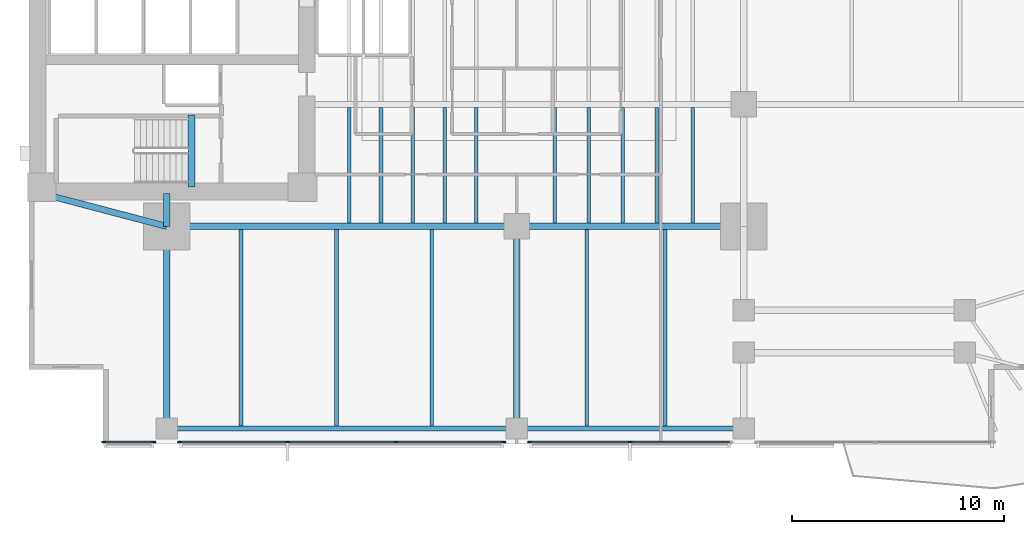
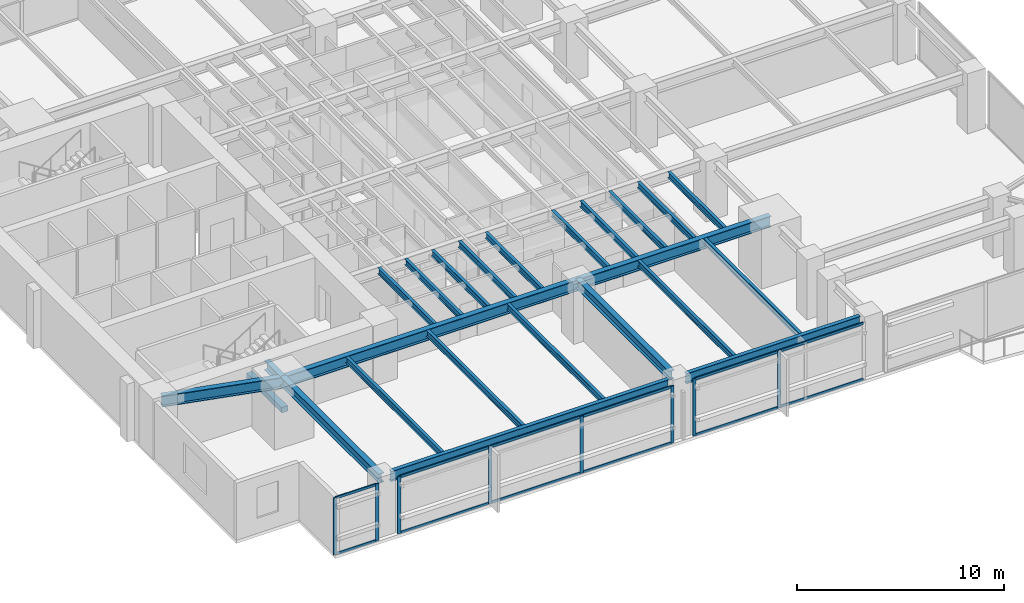
# One storey, part 2 of 15: 24 beams, 20 members, 3 elements without a shape of their own.
"""IFC4 building model written with IfcOpenShell, lengths in metres."""

from ifc_helpers import new_model, si_unit, direction, frame, origin, origin_2d, place, context, subcontext, project, spatial, rectangle, i_section, extrude, material, layer, layer_set, material_profile, profile_set, type_object, element, aggregate, save


model = new_model("IFC4")

# Units and contexts
model_context = context("Model", 3, precision=1e-05, world=origin(), true_north=direction((0.0, 1.0)))
body_context = subcontext(model_context, "Body", "Model", "MODEL_VIEW")
ifc_project = project(units=[si_unit("LENGTHUNIT", "METRE"), si_unit("AREAUNIT", "SQUARE_METRE"), si_unit("VOLUMEUNIT", "CUBIC_METRE"), si_unit("PLANEANGLEUNIT", "RADIAN"), si_unit("MASSUNIT", "GRAM", prefix="KILO")], contexts=[model_context])

# Site, building, storey
site_placement = place(None, origin())
site = spatial("IfcSite", under=ifc_project, at=site_placement, CompositionType="ELEMENT")
building_placement = place(site_placement, origin())
building = spatial("IfcBuilding", under=site, at=building_placement, Name="Kinhvarn Gate Tower", CompositionType="ELEMENT")
storey_placement = place(building_placement, frame((0.0, 0.0, 39.800048828125)))
storey = spatial("IfcBuildingStorey", under=building, at=storey_placement, Name="L09", CompositionType="ELEMENT", Elevation=39.800048828125)

# Beam
ifc_material_1 = material(Name="Concrete C50/60", Category="concrete")
ifc_material_profile_1 = material_profile(ifc_material_1, rectangle(XDim=0.340087890625, YDim=0.320068359375, at=origin_2d()), Name="RC 340x320")
ifc_profile_set_1 = profile_set([ifc_material_profile_1], Name="Concrete C50/60")
beam_type_1 = type_object("IfcBeamType", Name="BM-LND-500", PredefinedType="BEAM", material=ifc_profile_set_1)
beam_1_placement = place(storey_placement, frame((12.1650390625, 14.60009765625, -0.16015625), z_axis=(0.0, 1.0, 0.0), x_axis=(-1.0, 0.0, 0.0)))
element("IfcBeam", 1, at=beam_1_placement, inside=storey, type_object=beam_type_1, Name="Stair ST1 Landing Nosing Beam (L09)", PredefinedType="BEAM", context=body_context, shape_type="SweptSolid", body=[
    extrude(rectangle(XDim=0.340087890625, YDim=0.320068359375, at=origin_2d()), origin(), (0.0, 0.0, 1.0), 3.39990234375),
])

# Curtain wall, members
ifc_material_2 = material(Name="Anodised aluminium AW-6063", Category="aluminium")
ifc_layer = layer(ifc_material_2, 0.179931640625)
ifc_layer_set = layer_set([ifc_layer], Name="Anodised aluminium AW-6063")
curtain_wall_type = type_object("IfcCurtainWallType", Name="CW-SYS-2", PredefinedType="NOTDEFINED", material=ifc_layer_set)
curtain_wall_1_placement = place(storey_placement, origin())
curtain_wall_1 = element("IfcCurtainWall", 2, at=curtain_wall_1_placement, inside=storey, type_object=curtain_wall_type, Name="Curtain Wall CW2 (L09)", PredefinedType="NOTDEFINED")
ifc_material_profile_2 = material_profile(ifc_material_2, rectangle(XDim=0.070068359375, YDim=0.179931640625, at=origin_2d()), Name="ALU 70x180")
ifc_profile_set_2 = profile_set([ifc_material_profile_2], Name="Anodised aluminium AW-6063")
member_type_1 = type_object("IfcMemberType", Name="CW-MUL-180", PredefinedType="MULLION", material=ifc_profile_set_2)
member_1_placement = place(storey_placement, frame((8.034912109375, 2.590087890625, 0.0), z_axis=(0.0, 0.0, 1.0), x_axis=(0.0, 1.0, 0.0)))
member_1 = element("IfcMember", 3, at=member_1_placement, type_object=member_type_1, Name="CW2 mullion 1", PredefinedType="MULLION", context=body_context, shape_type="SweptSolid", body=[
    extrude(rectangle(XDim=0.070068359375, YDim=0.179931640625, at=origin_2d()), origin(), (0.0, 0.0, 1.0), 3.369873046875),
])
member_2_placement = place(storey_placement, frame((10.385009765625, 2.590087890625, 0.0), z_axis=(0.0, 0.0, 1.0), x_axis=(0.0, 1.0, 0.0)))
member_2 = element("IfcMember", 4, at=member_2_placement, type_object=member_type_1, Name="CW2 mullion 2", PredefinedType="MULLION", context=body_context, shape_type="SweptSolid", body=[
    extrude(rectangle(XDim=0.070068359375, YDim=0.179931640625, at=origin_2d()), origin(), (0.0, 0.0, 1.0), 3.369873046875),
])

curtain_wall_2_placement = place(storey_placement, origin())
curtain_wall_2 = element("IfcCurtainWall", 5, at=curtain_wall_2_placement, inside=storey, type_object=curtain_wall_type, Name="Curtain Wall CW2 (L09)", PredefinedType="NOTDEFINED")
member_3_placement = place(storey_placement, frame((11.614990234375, 2.590087890625, 0.0), z_axis=(0.0, 0.0, 1.0), x_axis=(0.0, 1.0, 0.0)))
member_3 = element("IfcMember", 6, at=member_3_placement, type_object=member_type_1, Name="CW2 mullion 1", PredefinedType="MULLION", context=body_context, shape_type="SweptSolid", body=[
    extrude(rectangle(XDim=0.070068359375, YDim=0.179931640625, at=origin_2d()), origin(), (0.0, 0.0, 1.0), 3.369873046875),
])
member_4_placement = place(storey_placement, frame((16.693359375, 2.590087890625, 0.0), z_axis=(0.0, 0.0, 1.0), x_axis=(0.0, 1.0, 0.0)))
member_4 = element("IfcMember", 7, at=member_4_placement, type_object=member_type_1, Name="CW2 mullion 2", PredefinedType="MULLION", context=body_context, shape_type="SweptSolid", body=[
    extrude(rectangle(XDim=0.070068359375, YDim=0.179931640625, at=origin_2d()), origin(), (0.0, 0.0, 1.0), 3.369873046875),
])
member_5_placement = place(storey_placement, frame((21.806640625, 2.590087890625, 0.0), z_axis=(0.0, 0.0, 1.0), x_axis=(0.0, 1.0, 0.0)))
member_5 = element("IfcMember", 8, at=member_5_placement, type_object=member_type_1, Name="CW2 mullion 3", PredefinedType="MULLION", context=body_context, shape_type="SweptSolid", body=[
    extrude(rectangle(XDim=0.070068359375, YDim=0.179931640625, at=origin_2d()), origin(), (0.0, 0.0, 1.0), 3.369873046875),
])
member_6_placement = place(storey_placement, frame((26.885009765625, 2.590087890625, 0.0), z_axis=(0.0, 0.0, 1.0), x_axis=(0.0, 1.0, 0.0)))
member_6 = element("IfcMember", 9, at=member_6_placement, type_object=member_type_1, Name="CW2 mullion 4", PredefinedType="MULLION", context=body_context, shape_type="SweptSolid", body=[
    extrude(rectangle(XDim=0.070068359375, YDim=0.179931640625, at=origin_2d()), origin(), (0.0, 0.0, 1.0), 3.369873046875),
])

curtain_wall_3_placement = place(storey_placement, origin())
curtain_wall_3 = element("IfcCurtainWall", 10, at=curtain_wall_3_placement, inside=storey, type_object=curtain_wall_type, Name="Curtain Wall CW2 (L09)", PredefinedType="NOTDEFINED")
member_7_placement = place(storey_placement, frame((28.114990234375, 2.590087890625, 0.0), z_axis=(0.0, 0.0, 1.0), x_axis=(0.0, 1.0, 0.0)))
member_7 = element("IfcMember", 11, at=member_7_placement, type_object=member_type_1, Name="CW2 mullion 1", PredefinedType="MULLION", context=body_context, shape_type="SweptSolid", body=[
    extrude(rectangle(XDim=0.070068359375, YDim=0.179931640625, at=origin_2d()), origin(), (0.0, 0.0, 1.0), 3.369873046875),
])
member_8_placement = place(storey_placement, frame((32.85009765625, 2.590087890625, 0.0), z_axis=(0.0, 0.0, 1.0), x_axis=(0.0, 1.0, 0.0)))
member_8 = element("IfcMember", 12, at=member_8_placement, type_object=member_type_1, Name="CW2 mullion 2", PredefinedType="MULLION", context=body_context, shape_type="SweptSolid", body=[
    extrude(rectangle(XDim=0.070068359375, YDim=0.179931640625, at=origin_2d()), origin(), (0.0, 0.0, 1.0), 3.369873046875),
])

# Member
ifc_material_profile_3 = material_profile(ifc_material_2, rectangle(XDim=0.070068359375, YDim=0.139892578125, at=origin_2d()), Name="ALU 70x140")
ifc_profile_set_3 = profile_set([ifc_material_profile_3], Name="Anodised aluminium AW-6063")
member_type_2 = type_object("IfcMemberType", Name="CW-TRN-140", PredefinedType="USERDEFINED", material=ifc_profile_set_3)
member_9_placement = place(storey_placement, frame((8.070068359375, 2.590087890625, 0.034912109375), z_axis=(1.0, 0.0, 0.0), x_axis=(0.0, 1.0, 0.0)))
member_9 = element("IfcMember", 13, at=member_9_placement, type_object=member_type_2, Name="CW2 transom 1.1", ObjectType="TRANSOM", PredefinedType="USERDEFINED", context=body_context, shape_type="SweptSolid", body=[
    extrude(rectangle(XDim=0.070068359375, YDim=0.139892578125, at=origin_2d()), origin(), (0.0, 0.0, 1.0), 2.280029296875),
])

member_10_placement = place(storey_placement, frame((8.070068359375, 2.590087890625, 3.3349609375), z_axis=(1.0, 0.0, 0.0), x_axis=(0.0, 1.0, 0.0)))
member_10 = element("IfcMember", 14, at=member_10_placement, type_object=member_type_2, Name="CW2 transom 1.2", ObjectType="TRANSOM", PredefinedType="USERDEFINED", context=body_context, shape_type="SweptSolid", body=[
    extrude(rectangle(XDim=0.070068359375, YDim=0.139892578125, at=origin_2d()), origin(), (0.0, 0.0, 1.0), 2.280029296875),
])

aggregate(curtain_wall_1, [member_1, member_2, member_9, member_10])

member_11_placement = place(storey_placement, frame((11.64990234375, 2.590087890625, 0.034912109375), z_axis=(1.0, 0.0, 0.0), x_axis=(0.0, 1.0, 0.0)))
member_11 = element("IfcMember", 15, at=member_11_placement, type_object=member_type_2, Name="CW2 transom 1.1", ObjectType="TRANSOM", PredefinedType="USERDEFINED", context=body_context, shape_type="SweptSolid", body=[
    extrude(rectangle(XDim=0.070068359375, YDim=0.139892578125, at=origin_2d()), origin(), (0.0, 0.0, 1.0), 5.008544921875),
])

member_12_placement = place(storey_placement, frame((11.64990234375, 2.590087890625, 3.3349609375), z_axis=(1.0, 0.0, 0.0), x_axis=(0.0, 1.0, 0.0)))
member_12 = element("IfcMember", 16, at=member_12_placement, type_object=member_type_2, Name="CW2 transom 1.2", ObjectType="TRANSOM", PredefinedType="USERDEFINED", context=body_context, shape_type="SweptSolid", body=[
    extrude(rectangle(XDim=0.070068359375, YDim=0.139892578125, at=origin_2d()), origin(), (0.0, 0.0, 1.0), 5.008544921875),
])

member_13_placement = place(storey_placement, frame((16.728271484375, 2.590087890625, 0.034912109375), z_axis=(1.0, 0.0, 0.0), x_axis=(0.0, 1.0, 0.0)))
member_13 = element("IfcMember", 17, at=member_13_placement, type_object=member_type_2, Name="CW2 transom 2.1", ObjectType="TRANSOM", PredefinedType="USERDEFINED", context=body_context, shape_type="SweptSolid", body=[
    extrude(rectangle(XDim=0.070068359375, YDim=0.139892578125, at=origin_2d()), origin(), (0.0, 0.0, 1.0), 5.04345703125),
])

member_14_placement = place(storey_placement, frame((16.728271484375, 2.590087890625, 3.3349609375), z_axis=(1.0, 0.0, 0.0), x_axis=(0.0, 1.0, 0.0)))
member_14 = element("IfcMember", 18, at=member_14_placement, type_object=member_type_2, Name="CW2 transom 2.2", ObjectType="TRANSOM", PredefinedType="USERDEFINED", context=body_context, shape_type="SweptSolid", body=[
    extrude(rectangle(XDim=0.070068359375, YDim=0.139892578125, at=origin_2d()), origin(), (0.0, 0.0, 1.0), 5.04345703125),
])

member_15_placement = place(storey_placement, frame((21.841552734375, 2.590087890625, 0.034912109375), z_axis=(1.0, 0.0, 0.0), x_axis=(0.0, 1.0, 0.0)))
member_15 = element("IfcMember", 19, at=member_15_placement, type_object=member_type_2, Name="CW2 transom 3.1", ObjectType="TRANSOM", PredefinedType="USERDEFINED", context=body_context, shape_type="SweptSolid", body=[
    extrude(rectangle(XDim=0.070068359375, YDim=0.139892578125, at=origin_2d()), origin(), (0.0, 0.0, 1.0), 5.008544921875),
])

member_16_placement = place(storey_placement, frame((21.841552734375, 2.590087890625, 3.3349609375), z_axis=(1.0, 0.0, 0.0), x_axis=(0.0, 1.0, 0.0)))
member_16 = element("IfcMember", 20, at=member_16_placement, type_object=member_type_2, Name="CW2 transom 3.2", ObjectType="TRANSOM", PredefinedType="USERDEFINED", context=body_context, shape_type="SweptSolid", body=[
    extrude(rectangle(XDim=0.070068359375, YDim=0.139892578125, at=origin_2d()), origin(), (0.0, 0.0, 1.0), 5.008544921875),
])

aggregate(curtain_wall_2, [member_3, member_4, member_5, member_6, member_11, member_12, member_13, member_14, member_15, member_16])

member_17_placement = place(storey_placement, frame((28.14990234375, 2.590087890625, 0.034912109375), z_axis=(1.0, 0.0, 0.0), x_axis=(0.0, 1.0, 0.0)))
member_17 = element("IfcMember", 21, at=member_17_placement, type_object=member_type_2, Name="CW2 transom 1.1", ObjectType="TRANSOM", PredefinedType="USERDEFINED", context=body_context, shape_type="SweptSolid", body=[
    extrude(rectangle(XDim=0.070068359375, YDim=0.139892578125, at=origin_2d()), origin(), (0.0, 0.0, 1.0), 4.6650390625),
])

member_18_placement = place(storey_placement, frame((28.14990234375, 2.590087890625, 3.3349609375), z_axis=(1.0, 0.0, 0.0), x_axis=(0.0, 1.0, 0.0)))
member_18 = element("IfcMember", 22, at=member_18_placement, type_object=member_type_2, Name="CW2 transom 1.2", ObjectType="TRANSOM", PredefinedType="USERDEFINED", context=body_context, shape_type="SweptSolid", body=[
    extrude(rectangle(XDim=0.070068359375, YDim=0.139892578125, at=origin_2d()), origin(), (0.0, 0.0, 1.0), 4.6650390625),
])

member_19_placement = place(storey_placement, frame((32.885009765625, 2.590087890625, 0.034912109375), z_axis=(1.0, 0.0, 0.0), x_axis=(0.0, 1.0, 0.0)))
member_19 = element("IfcMember", 23, at=member_19_placement, type_object=member_type_2, Name="CW2 transom 2.1", ObjectType="TRANSOM", PredefinedType="USERDEFINED", context=body_context, shape_type="SweptSolid", body=[
    extrude(rectangle(XDim=0.070068359375, YDim=0.139892578125, at=origin_2d()), origin(), (0.0, 0.0, 1.0), 4.6650390625),
])

member_20_placement = place(storey_placement, frame((32.885009765625, 2.590087890625, 3.3349609375), z_axis=(1.0, 0.0, 0.0), x_axis=(0.0, 1.0, 0.0)))
member_20 = element("IfcMember", 24, at=member_20_placement, type_object=member_type_2, Name="CW2 transom 2.2", ObjectType="TRANSOM", PredefinedType="USERDEFINED", context=body_context, shape_type="SweptSolid", body=[
    extrude(rectangle(XDim=0.070068359375, YDim=0.139892578125, at=origin_2d()), origin(), (0.0, 0.0, 1.0), 4.6650390625),
])

aggregate(curtain_wall_3, [member_7, member_8, member_17, member_18, member_19, member_20])

# Beams
ifc_material_3 = material(Name="Steel S355", Category="steel")
ifc_material_profile_4 = material_profile(ifc_material_3, i_section(OverallWidth=0.300048828125, OverallDepth=0.550048828125, WebThickness=0.014892578125, FlangeThickness=0.029052734375, at=origin_2d()), Name="HEB 550")
ifc_profile_set_4 = profile_set([ifc_material_profile_4], Name="Steel S355")
beam_type_2 = type_object("IfcBeamType", Name="STL-HEB550", PredefinedType="BEAM", material=ifc_profile_set_4)
beam_2_placement = place(storey_placement, frame((11.0, 3.219970703125, 3.094970703125), z_axis=(0.0, 1.0, 0.0), x_axis=(-1.0, 0.0, 0.0)))
element("IfcBeam", 25, at=beam_2_placement, inside=storey, type_object=beam_type_2, Name="Floor Beam PG-15 (L09 MCW-S)", PredefinedType="BEAM", context=body_context, shape_type="SweptSolid", body=[
    extrude(i_section(OverallWidth=0.300048828125, OverallDepth=0.550048828125, WebThickness=0.014892578125, FlangeThickness=0.029052734375, at=origin_2d()), origin(), (0.0, 0.0, 1.0), 9.530029296875),
])
beam_3_placement = place(storey_placement, frame((11.0, 12.75, 3.094970703125), z_axis=(0.0, 1.0, 0.0), x_axis=(-1.0, 0.0, 0.0)))
element("IfcBeam", 26, at=beam_3_placement, inside=storey, type_object=beam_type_2, Name="Floor Beam PG-15 (L09 MCW-CS)", PredefinedType="BEAM", context=body_context, shape_type="SweptSolid", body=[
    extrude(i_section(OverallWidth=0.300048828125, OverallDepth=0.550048828125, WebThickness=0.014892578125, FlangeThickness=0.029052734375, at=origin_2d()), origin(), (0.0, 0.0, 1.0), 1.550048828125),
])
beam_4_placement = place(storey_placement, frame((27.5, 3.705078125, 3.094970703125), z_axis=(0.0, 1.0, 0.0), x_axis=(-1.0, 0.0, 0.0)))
element("IfcBeam", 27, at=beam_4_placement, inside=storey, type_object=beam_type_2, Name="Floor Beam PG-15 (L09 SP27-S-TIE)", PredefinedType="BEAM", context=body_context, shape_type="SweptSolid", body=[
    extrude(i_section(OverallWidth=0.300048828125, OverallDepth=0.550048828125, WebThickness=0.014892578125, FlangeThickness=0.029052734375, at=origin_2d()), origin(), (0.0, 0.0, 1.0), 9.044921875),
])
ifc_material_profile_5 = material_profile(ifc_material_3, i_section(OverallWidth=0.300048828125, OverallDepth=0.64990234375, WebThickness=0.01611328125, FlangeThickness=0.031005859375, at=origin_2d()), Name="HEB 650")
ifc_profile_set_5 = profile_set([ifc_material_profile_5], Name="Steel S355")
beam_type_3 = type_object("IfcBeamType", Name="STL-HEB650", PredefinedType="BEAM", material=ifc_profile_set_5)
beam_5_placement = place(storey_placement, frame((11.0, 12.75, 3.044921875), z_axis=(1.0, 0.0, 0.0), x_axis=(0.0, 1.0, 0.0)))
element("IfcBeam", 28, at=beam_5_placement, inside=storey, type_object=beam_type_3, Name="Floor Beam PG-17 (L09 MG-S1)", PredefinedType="BEAM", context=body_context, shape_type="SweptSolid", body=[
    extrude(i_section(OverallWidth=0.300048828125, OverallDepth=0.64990234375, WebThickness=0.01611328125, FlangeThickness=0.031005859375, at=origin_2d()), origin(), (0.0, 0.0, 1.0), 16.5),
])
beam_6_placement = place(storey_placement, frame((27.5, 12.75, 3.044921875), z_axis=(1.0, 0.0, 0.0), x_axis=(0.0, 1.0, 0.0)))
element("IfcBeam", 29, at=beam_6_placement, inside=storey, type_object=beam_type_3, Name="Floor Beam PG-17 (L09 MG-S2)", PredefinedType="BEAM", context=body_context, shape_type="SweptSolid", body=[
    extrude(i_section(OverallWidth=0.300048828125, OverallDepth=0.64990234375, WebThickness=0.01611328125, FlangeThickness=0.031005859375, at=origin_2d()), origin(), (0.0, 0.0, 1.0), 10.699951171875),
])
beam_7_placement = place(storey_placement, frame((5.10009765625, 14.300048828125, 3.044921875), z_axis=(0.967177623957, -0.254101246979, 0.0), x_axis=(0.254101246979, 0.967177623957, 0.0)))
element("IfcBeam", 30, at=beam_7_placement, inside=storey, type_object=beam_type_3, Name="Floor Beam PG-17 (L09 MG-SW-DIAG)", PredefinedType="BEAM", context=body_context, shape_type="SweptSolid", body=[
    extrude(i_section(OverallWidth=0.300048828125, OverallDepth=0.64990234375, WebThickness=0.01611328125, FlangeThickness=0.031005859375, at=origin_2d()), origin(), (0.0, 0.0, 1.0), 6.10009765625),
])
ifc_material_profile_6 = material_profile(ifc_material_3, i_section(OverallWidth=0.169921875, OverallDepth=0.360107421875, WebThickness=0.008056640625, FlangeThickness=0.0126953125, at=origin_2d()), Name="IPE 360")
ifc_profile_set_6 = profile_set([ifc_material_profile_6], Name="Steel S355")
beam_type_4 = type_object("IfcBeamType", Name="STL-IPE360", PredefinedType="JOIST", material=ifc_profile_set_6)
for number, where, z_axis, x_axis, name in (
    (31, (19.60009765625, 12.89990234375, 3.18994140625), (0.0, 1.0, 0.0), (-1.0, 0.0, 0.0), "Floor Joist SB-04 (L09 JC-X196-0)"),
    (32, (21.10009765625, 12.89990234375, 3.18994140625), (0.0, 1.0, 0.0), (-1.0, 0.0, 0.0), "Floor Joist SB-04 (L09 JC-X211-0)"),
    (33, (22.60009765625, 12.89990234375, 3.18994140625), (0.0, 1.0, 0.0), (-1.0, 0.0, 0.0), "Floor Joist SB-04 (L09 JC-X226-0)"),
    (34, (24.10009765625, 12.89990234375, 3.18994140625), (0.0, 1.0, 0.0), (-1.0, 0.0, 0.0), "Floor Joist SB-04 (L09 JC-X241-0)"),
    (35, (25.60009765625, 12.89990234375, 3.18994140625), (0.0, 1.0, 0.0), (-1.0, 0.0, 0.0), "Floor Joist SB-04 (L09 JC-X256-0)"),
    (36, (29.300048828125, 12.89990234375, 3.18994140625), (0.0, 1.0, 0.0), (-1.0, 0.0, 0.0), "Floor Joist SB-04 (L09 JC-X293-0)"),
    (37, (30.89990234375, 12.89990234375, 3.18994140625), (0.0, 1.0, 0.0), (-1.0, 0.0, 0.0), "Floor Joist SB-04 (L09 JC-X309-0)"),
    (38, (32.5, 12.89990234375, 3.18994140625), (0.0, 1.0, 0.0), (-1.0, 0.0, 0.0), "Floor Joist SB-04 (L09 JC-X325-0)"),
    (39, (34.10009765625, 12.89990234375, 3.18994140625), (0.0, 1.0, 0.0), (-1.0, 0.0, 0.0), "Floor Joist SB-04 (L09 JC-X341-0)"),
    (40, (35.800048828125, 12.89990234375, 3.18994140625), (0.0, 1.0, 0.0), (-1.0, 0.0, 0.0), "Floor Joist SB-04 (L09 JC-X358-0)"),
):
    element("IfcBeam", number, at=place(storey_placement, frame(where, z_axis=z_axis, x_axis=x_axis)), inside=storey, type_object=beam_type_4, Name=name, PredefinedType="JOIST", context=body_context, shape_type="SweptSolid", body=[
        extrude(i_section(OverallWidth=0.169921875, OverallDepth=0.360107421875, WebThickness=0.008056640625, FlangeThickness=0.0126953125, at=origin_2d()), origin(), (0.0, 0.0, 1.0), 5.4501953125),
    ])
for number, where, z_axis, x_axis, name in (
    (41, (14.5, 3.330078125, 3.18994140625), (0.0, 1.0, 0.0), (-1.0, 0.0, 0.0), "Floor Joist SB-04 (L09 JS-X145)"),
    (42, (19.0, 3.330078125, 3.18994140625), (0.0, 1.0, 0.0), (-1.0, 0.0, 0.0), "Floor Joist SB-04 (L09 JS-X190)"),
    (43, (23.5, 3.330078125, 3.18994140625), (0.0, 1.0, 0.0), (-1.0, 0.0, 0.0), "Floor Joist SB-04 (L09 JS-X235)"),
    (44, (30.800048828125, 3.330078125, 3.18994140625), (0.0, 1.0, 0.0), (-1.0, 0.0, 0.0), "Floor Joist SB-04 (L09 JS-X308)"),
    (45, (34.5, 3.330078125, 3.18994140625), (0.0, 1.0, 0.0), (-1.0, 0.0, 0.0), "Floor Joist SB-04 (L09 JS-X345)"),
):
    element("IfcBeam", number, at=place(storey_placement, frame(where, z_axis=z_axis, x_axis=x_axis)), inside=storey, type_object=beam_type_4, Name=name, PredefinedType="JOIST", context=body_context, shape_type="SweptSolid", body=[
        extrude(i_section(OverallWidth=0.169921875, OverallDepth=0.360107421875, WebThickness=0.008056640625, FlangeThickness=0.0126953125, at=origin_2d()), origin(), (0.0, 0.0, 1.0), 9.27001953125),
    ])
ifc_material_profile_7 = material_profile(ifc_material_3, i_section(OverallWidth=0.219970703125, OverallDepth=0.60009765625, WebThickness=0.011962890625, FlangeThickness=0.01904296875, at=origin_2d()), Name="IPE 600")
ifc_profile_set_7 = profile_set([ifc_material_profile_7], Name="Steel S355")
beam_type_5 = type_object("IfcBeamType", Name="STL-IPE600", PredefinedType="SPANDREL", material=ifc_profile_set_7)
beam_8_placement = place(storey_placement, frame((11.485107421875, 3.219970703125, 3.070068359375), z_axis=(1.0, 0.0, 0.0), x_axis=(0.0, 1.0, 0.0)))
element("IfcBeam", 46, at=beam_8_placement, inside=storey, type_object=beam_type_5, Name="Floor Spandrel SB-09 (L09 SP-S1)", PredefinedType="SPANDREL", context=body_context, shape_type="SweptSolid", body=[
    extrude(i_section(OverallWidth=0.219970703125, OverallDepth=0.60009765625, WebThickness=0.011962890625, FlangeThickness=0.01904296875, at=origin_2d()), origin(), (0.0, 0.0, 1.0), 15.52978515625),
])
beam_9_placement = place(storey_placement, frame((27.985107421875, 3.219970703125, 3.070068359375), z_axis=(1.0, 0.0, 0.0), x_axis=(0.0, 1.0, 0.0)))
element("IfcBeam", 47, at=beam_9_placement, inside=storey, type_object=beam_type_5, Name="Floor Spandrel SB-09 (L09 SP-S2)", PredefinedType="SPANDREL", context=body_context, shape_type="SweptSolid", body=[
    extrude(i_section(OverallWidth=0.219970703125, OverallDepth=0.60009765625, WebThickness=0.011962890625, FlangeThickness=0.01904296875, at=origin_2d()), origin(), (0.0, 0.0, 1.0), 9.72998046875),
])

save(model, "model.ifc")
